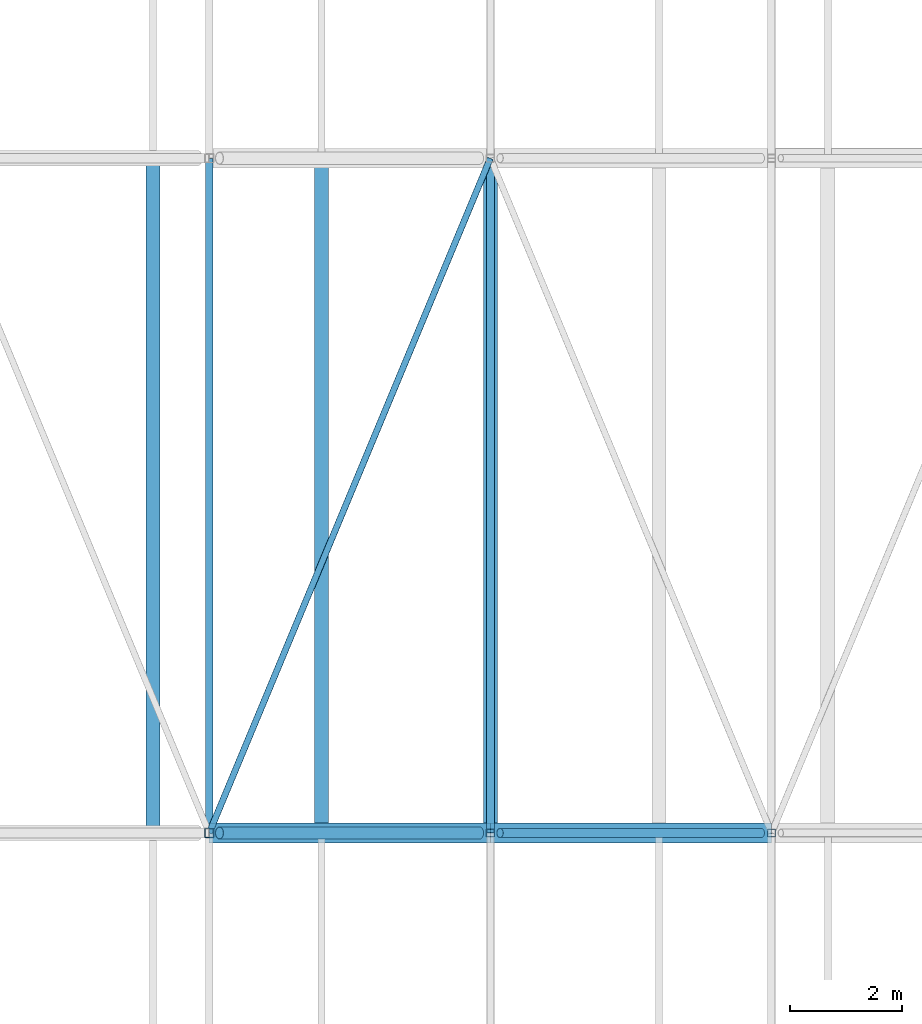
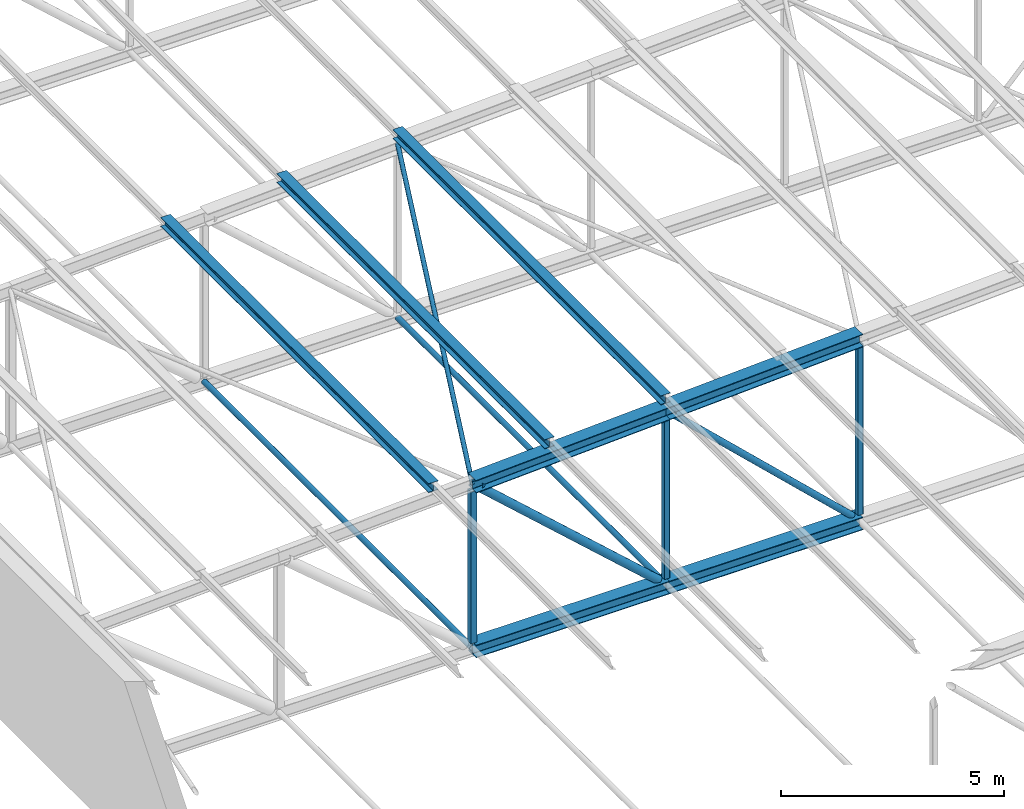
# One storey, part 32 of 156: 15 members.
"""IFC4 building model written with IfcOpenShell, lengths in metres."""

from ifc_helpers import new_model, si_unit, direction, frame, origin, origin_2d, place, context, subcontext, project, spatial, hollow_rectangle, hollow_circle, i_section, extrude, material, material_profile, profile_set, type_object, element, save


model = new_model("IFC4")

# Units and contexts
model_context = context("Model", 3, precision=1e-05, world=origin(), true_north=direction((0.0, 1.0)))
body_context = subcontext(model_context, "Body", "Model", "MODEL_VIEW")
ifc_project = project(units=[si_unit("LENGTHUNIT", "METRE"), si_unit("AREAUNIT", "SQUARE_METRE"), si_unit("VOLUMEUNIT", "CUBIC_METRE"), si_unit("PLANEANGLEUNIT", "RADIAN"), si_unit("MASSUNIT", "GRAM", prefix="KILO")], contexts=[model_context])

# Site, building, storey
site_placement = place(None, origin())
site = spatial("IfcSite", under=ifc_project, at=site_placement, CompositionType="ELEMENT")
building_placement = place(site_placement, origin())
building = spatial("IfcBuilding", under=site, at=building_placement, Name="Lilac Gate Convention Centre", CompositionType="ELEMENT")
storey_placement = place(building_placement, frame((0.0, 0.0, 17.0)))
storey = spatial("IfcBuildingStorey", under=building, at=storey_placement, Name="L03", CompositionType="ELEMENT", Elevation=17.0)

# Members
ifc_material = material(Name="Steel Q355B", Category="steel")
ifc_material_profile_1 = material_profile(ifc_material, hollow_circle(Radius=0.06982421875, WallThickness=0.0048828125, at=origin_2d()), Name="CHS139.7x5")
ifc_profile_set_1 = profile_set([ifc_material_profile_1], Name="Steel Q355B")
member_type_1 = type_object("IfcMemberType", Name="Bottom chord tie CHS139.7x5", PredefinedType="STRUT", material=ifc_profile_set_1)
member_1_placement = place(storey_placement, frame((40.0, 78.00341796875, 0.0), z_axis=(0.0, 1.0, 0.0), x_axis=(-1.0, 0.0, 0.0)))
element("IfcMember", 1, at=member_1_placement, inside=storey, type_object=member_type_1, Name="ST1 tie bay 5 node 3", PredefinedType="STRUT", context=body_context, shape_type="SweptSolid", body=[
    extrude(hollow_circle(Radius=0.06982421875, WallThickness=0.0048828125, at=origin_2d()), origin(), (0.0, 0.0, 1.0), 11.9931640625),
])
member_2_placement = place(storey_placement, frame((45.0, 78.006103515625, 0.0), z_axis=(0.0, 1.0, 0.0), x_axis=(-1.0, 0.0, 0.0)))
element("IfcMember", 2, at=member_2_placement, inside=storey, type_object=member_type_1, Name="ST1 tie bay 5 node 4", PredefinedType="STRUT", context=body_context, shape_type="SweptSolid", body=[
    extrude(hollow_circle(Radius=0.06982421875, WallThickness=0.0048828125, at=origin_2d()), origin(), (0.0, 0.0, 1.0), 11.98779296875),
])
ifc_material_profile_2 = material_profile(ifc_material, hollow_circle(Radius=0.05712890625, WallThickness=0.0048828125, at=origin_2d()), Name="CHS114.3x5")
ifc_profile_set_2 = profile_set([ifc_material_profile_2], Name="Steel Q355B")
member_type_2 = type_object("IfcMemberType", Name="Roof plane bracing CHS114.3x5", PredefinedType="BRACE", material=ifc_profile_set_2)
member_3_placement = place(storey_placement, frame((40.00146484375, 78.00341796875, 4.5), z_axis=(0.384538867181, 0.922908311091, 0.019238215751), x_axis=(-0.923079146825, 0.384610047578, 0.0)))
element("IfcMember", 3, at=member_3_placement, inside=storey, type_object=member_type_2, Name="BR1 plan bracing bay 5 panel 3", PredefinedType="BRACE", context=body_context, shape_type="SweptSolid", body=[
    extrude(hollow_circle(Radius=0.05712890625, WallThickness=0.0048828125, at=origin_2d()), origin(), (0.0, 0.0, 1.0), 12.994873046875),
])
ifc_material_profile_3 = material_profile(ifc_material, i_section(OverallWidth=0.25, OverallDepth=0.25, WebThickness=0.009033203125, FlangeThickness=0.013916015625, FilletRadius=0.012939453125, at=origin_2d()), Name="HW250x250x9x14")
ifc_profile_set_3 = profile_set([ifc_material_profile_3], Name="Steel Q355B")
member_type_3 = type_object("IfcMemberType", Name="Roof purlin HW250x250x9x14", PredefinedType="PURLIN", material=ifc_profile_set_3)
for number, where, z_axis, x_axis, name in (
    (4, (39.0, 78.0, 4.750244140625), (0.0, 1.0, 0.0), (-1.0, 0.0, 0.0), "PU1 purlin bay 5 line 4"),
    (5, (42.0, 78.0, 4.900146484375), (0.0, 1.0, 0.0), (-1.0, 0.0, 0.0), "PU1 purlin bay 5 line 5"),
    (6, (45.0, 78.0, 5.05029296875), (0.0, 1.0, 0.0), (-1.0, 0.0, 0.0), "PU1 purlin bay 5 line 6"),
):
    element("IfcMember", number, at=place(storey_placement, frame(where, z_axis=z_axis, x_axis=x_axis)), inside=storey, type_object=member_type_3, Name=name, PredefinedType="PURLIN", context=body_context, shape_type="SweptSolid", body=[
        extrude(i_section(OverallWidth=0.25, OverallDepth=0.25, WebThickness=0.009033203125, FlangeThickness=0.013916015625, FilletRadius=0.012939453125, at=origin_2d()), origin(), (0.0, 0.0, 1.0), 12.0),
    ])
ifc_material_profile_4 = material_profile(ifc_material, i_section(OverallWidth=0.35009765625, OverallDepth=0.35009765625, WebThickness=0.011962890625, FlangeThickness=0.01904296875, FilletRadius=0.012939453125, at=origin_2d()), Name="HW350x350x12x19")
ifc_profile_set_4 = profile_set([ifc_material_profile_4], Name="Steel Q355B")
member_type_4 = type_object("IfcMemberType", Name="Truss bottom chord HW350x350x12x19", PredefinedType="CHORD", material=ifc_profile_set_4)
for number, where, z_axis, x_axis, name in (
    (7, (40.0, 78.0, 0.0), (1.0, 0.0, 0.0), (0.0, 1.0, 0.0), "TB2 truss 5 bottom chord 3"),
    (8, (45.0, 78.0, 0.0), (1.0, 0.0, 0.0), (0.0, 1.0, 0.0), "TB2 truss 5 bottom chord 4"),
):
    element("IfcMember", number, at=place(storey_placement, frame(where, z_axis=z_axis, x_axis=x_axis)), inside=storey, type_object=member_type_4, Name=name, PredefinedType="CHORD", context=body_context, shape_type="SweptSolid", body=[
        extrude(i_section(OverallWidth=0.35009765625, OverallDepth=0.35009765625, WebThickness=0.011962890625, FlangeThickness=0.01904296875, FilletRadius=0.012939453125, at=origin_2d()), origin(), (0.0, 0.0, 1.0), 5.0),
    ])
ifc_material_profile_5 = material_profile(ifc_material, hollow_circle(Radius=0.084228515625, WallThickness=0.006103515625, at=origin_2d()), Name="CHS168.3x6")
ifc_profile_set_5 = profile_set([ifc_material_profile_5], Name="Steel Q355B")
member_type_5 = type_object("IfcMemberType", Name="Truss diagonal CHS168.3x6", PredefinedType="BRACE", material=ifc_profile_set_5)
member_4_placement = place(storey_placement, frame((45.1728515625, 78.0, 4.585693359375), z_axis=(0.725020373275, 0.0, -0.688727419475), x_axis=(0.0, 1.0, 0.0)))
element("IfcMember", 9, at=member_4_placement, inside=storey, type_object=member_type_5, Name="TW4 truss 5 diagonal 4", PredefinedType="BRACE", context=body_context, shape_type="SweptSolid", body=[
    extrude(hollow_circle(Radius=0.084228515625, WallThickness=0.006103515625, at=origin_2d()), origin(), (0.0, 0.0, 1.0), 6.404052734375),
])
ifc_material_profile_6 = material_profile(ifc_material, hollow_circle(Radius=0.109619140625, WallThickness=0.008056640625, at=origin_2d()), Name="CHS219.1x8")
ifc_profile_set_6 = profile_set([ifc_material_profile_6], Name="Steel Q355B")
member_type_6 = type_object("IfcMemberType", Name="Truss diagonal CHS219.1x8", PredefinedType="BRACE", material=ifc_profile_set_6)
member_5_placement = place(storey_placement, frame((40.1826171875, 78.0, 4.335693359375), z_axis=(0.743301953498, 0.0, -0.668956056797), x_axis=(0.0, 1.0, 0.0)))
element("IfcMember", 10, at=member_5_placement, inside=storey, type_object=member_type_6, Name="TW3 truss 5 diagonal 3", PredefinedType="BRACE", context=body_context, shape_type="SweptSolid", body=[
    extrude(hollow_circle(Radius=0.109619140625, WallThickness=0.008056640625, at=origin_2d()), origin(), (0.0, 0.0, 1.0), 6.2197265625),
])
ifc_material_profile_7 = material_profile(ifc_material, i_section(OverallWidth=0.35009765625, OverallDepth=0.35009765625, WebThickness=0.011962890625, FlangeThickness=0.01904296875, FilletRadius=0.012939453125, at=origin_2d()), Name="HW350x350x12x19")
ifc_profile_set_7 = profile_set([ifc_material_profile_7], Name="Steel Q355B")
member_type_7 = type_object("IfcMemberType", Name="Truss top chord HW350x350x12x19", PredefinedType="CHORD", material=ifc_profile_set_7)
for number, where, z_axis, x_axis, name in (
    (11, (40.0, 78.0, 4.5), (0.998752338878, 0.0, 0.049937616944), (0.0, 1.0, 0.0), "TT2 truss 5 top chord 3"),
    (12, (45.0, 78.0, 4.75), (0.998752338878, 0.0, 0.049937616944), (0.0, 1.0, 0.0), "TT2 truss 5 top chord 4"),
):
    element("IfcMember", number, at=place(storey_placement, frame(where, z_axis=z_axis, x_axis=x_axis)), inside=storey, type_object=member_type_7, Name=name, PredefinedType="CHORD", context=body_context, shape_type="SweptSolid", body=[
        extrude(i_section(OverallWidth=0.35009765625, OverallDepth=0.35009765625, WebThickness=0.011962890625, FlangeThickness=0.01904296875, FilletRadius=0.012939453125, at=origin_2d()), origin(), (0.0, 0.0, 1.0), 5.00634765625),
    ])
ifc_material_profile_8 = material_profile(ifc_material, hollow_rectangle(XDim=0.139892578125, YDim=0.139892578125, WallThickness=0.0048828125, InnerFilletRadius=0.0048828125, OuterFilletRadius=0.010009765625, at=origin_2d()), Name="SHS140x140x5")
ifc_profile_set_8 = profile_set([ifc_material_profile_8], Name="Steel Q355B")
member_type_8 = type_object("IfcMemberType", Name="Truss vertical SHS140x140x5", PredefinedType="STRUT", material=ifc_profile_set_8)
member_6_placement = place(storey_placement, frame((45.0, 78.0, 0.175048828125), z_axis=(0.0, 0.0, 1.0), x_axis=(1.0, 0.0, 0.0)))
element("IfcMember", 13, at=member_6_placement, inside=storey, type_object=member_type_8, Name="TV4 truss 5 vertical 4", PredefinedType="STRUT", context=body_context, shape_type="SweptSolid", body=[
    extrude(hollow_rectangle(XDim=0.139892578125, YDim=0.139892578125, WallThickness=0.0048828125, InnerFilletRadius=0.0048828125, OuterFilletRadius=0.010009765625, at=origin_2d()), origin(), (0.0, 0.0, 1.0), 4.399658203125),
])
member_7_placement = place(storey_placement, frame((50.0, 78.0, 0.175048828125), z_axis=(0.0, 0.0, 1.0), x_axis=(1.0, 0.0, 0.0)))
element("IfcMember", 14, at=member_7_placement, inside=storey, type_object=member_type_8, Name="TV4 truss 5 vertical 5", PredefinedType="STRUT", context=body_context, shape_type="SweptSolid", body=[
    extrude(hollow_rectangle(XDim=0.139892578125, YDim=0.139892578125, WallThickness=0.0048828125, InnerFilletRadius=0.0048828125, OuterFilletRadius=0.010009765625, at=origin_2d()), origin(), (0.0, 0.0, 1.0), 4.649658203125),
])
ifc_material_profile_9 = material_profile(ifc_material, hollow_rectangle(XDim=0.159912109375, YDim=0.159912109375, WallThickness=0.006103515625, InnerFilletRadius=0.006103515625, OuterFilletRadius=0.011962890625, at=origin_2d()), Name="SHS160x160x6")
ifc_profile_set_9 = profile_set([ifc_material_profile_9], Name="Steel Q355B")
member_type_9 = type_object("IfcMemberType", Name="Truss vertical SHS160x160x6", PredefinedType="STRUT", material=ifc_profile_set_9)
member_8_placement = place(storey_placement, frame((40.0, 78.0, 0.175048828125), z_axis=(0.0, 0.0, 1.0), x_axis=(1.0, 0.0, 0.0)))
element("IfcMember", 15, at=member_8_placement, inside=storey, type_object=member_type_9, Name="TV3 truss 5 vertical 3", PredefinedType="STRUT", context=body_context, shape_type="SweptSolid", body=[
    extrude(hollow_rectangle(XDim=0.159912109375, YDim=0.159912109375, WallThickness=0.006103515625, InnerFilletRadius=0.006103515625, OuterFilletRadius=0.011962890625, at=origin_2d()), origin(), (0.0, 0.0, 1.0), 4.149658203125),
])

save(model, "model.ifc")
